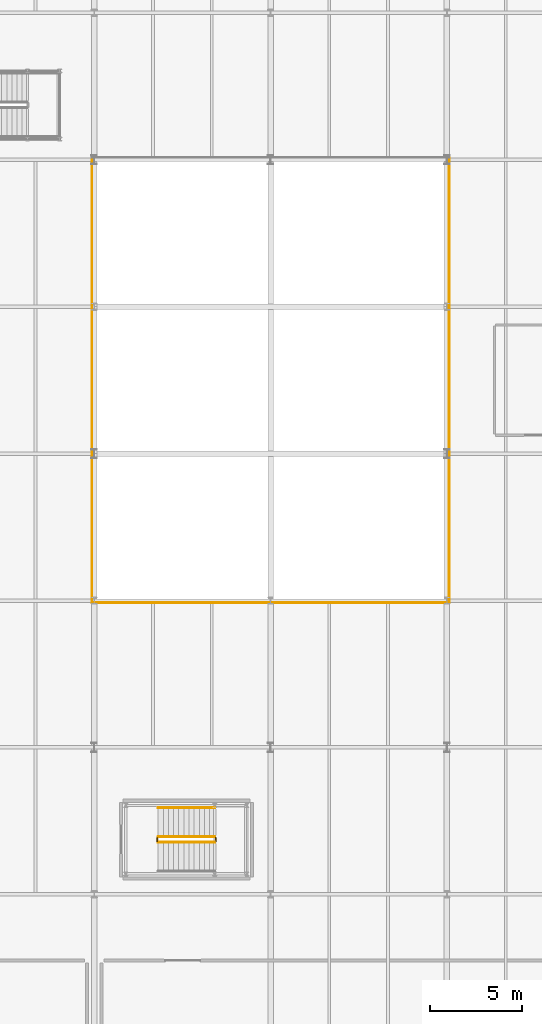
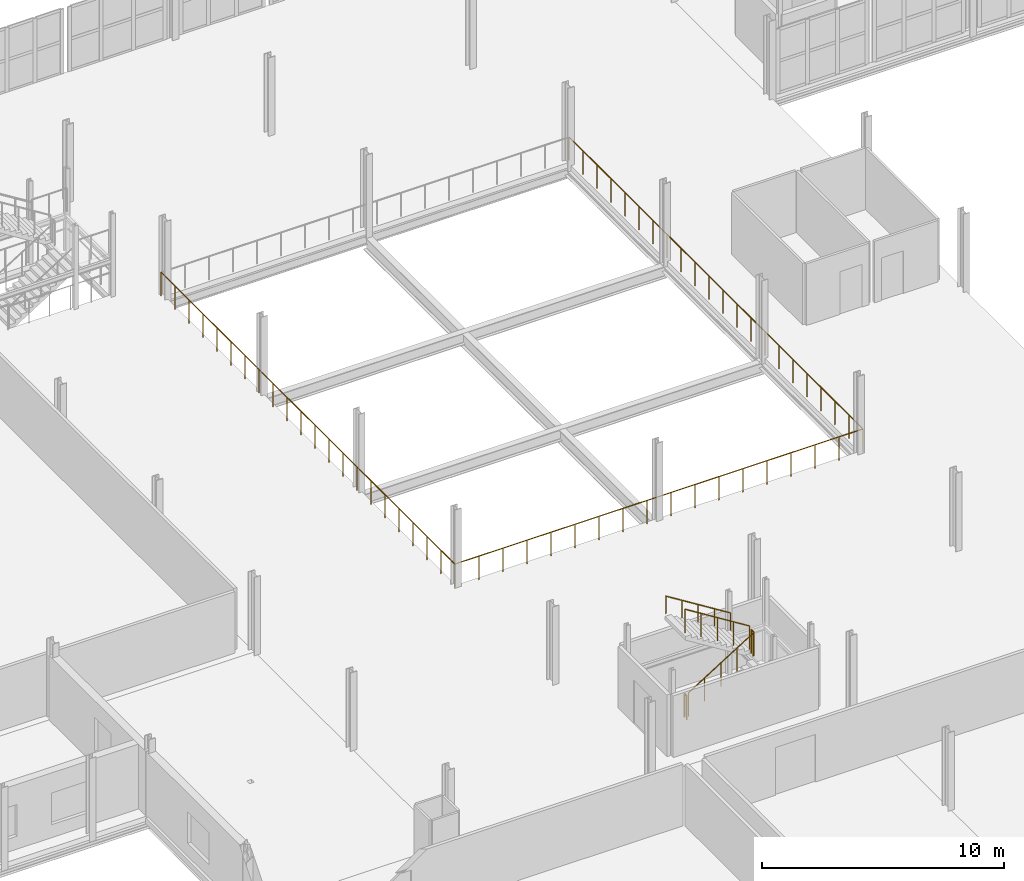
# One storey, part 70 of 78: 8 railings.
"""IFC4 building model written with IfcOpenShell, lengths in metres."""

from ifc_helpers import new_model, si_unit, direction, frame, origin, origin_2d, place, context, subcontext, project, spatial, circle, extrude, material, type_object, element, save


model = new_model("IFC4")

# Units and contexts
model_context = context("Model", 3, precision=1e-05, world=origin(), true_north=direction((0.0, 1.0)))
body_context = subcontext(model_context, "Body", "Model", "MODEL_VIEW")
ifc_project = project(units=[si_unit("LENGTHUNIT", "METRE"), si_unit("AREAUNIT", "SQUARE_METRE"), si_unit("VOLUMEUNIT", "CUBIC_METRE"), si_unit("PLANEANGLEUNIT", "RADIAN"), si_unit("MASSUNIT", "GRAM", prefix="KILO")], contexts=[model_context])

# Site, building, storey
site_placement = place(None, origin())
site = spatial("IfcSite", under=ifc_project, at=site_placement, CompositionType="ELEMENT")
building_placement = place(site_placement, origin())
building = spatial("IfcBuilding", under=site, at=building_placement, Name="Alderhovde Museum", CompositionType="ELEMENT")
storey_placement = place(building_placement, frame((0.0, 0.0, 4.5)))
storey = spatial("IfcBuildingStorey", under=building, at=storey_placement, Name="L01", CompositionType="ELEMENT", Elevation=4.5)

# Railings
ifc_material_1 = material(Name="Painted Steel S355 Guardrail", Category="steel")
railing_type_1 = type_object("IfcRailingType", Name="RL-GUARD-1200", PredefinedType="GUARDRAIL", material=ifc_material_1)
railing_1_placement = place(storey_placement, frame((89.8798828125, 34.830078125, 0.175048828125)))
element("IfcRailing", 1, at=railing_1_placement, inside=storey, type_object=railing_type_1, Name="L01 ST3 stair guard 1", PredefinedType="GUARDRAIL", context=body_context, shape_type="SweptSolid", body=[
    extrude(circle(Radius=0.02392578125, at=origin_2d()), frame((0.0, 0.0, 1.17578125), z_axis=(0.847998304005, 0.0, 0.529998940003), x_axis=(0.0, 1.0, 0.0)), (0.0, 0.0, 1.0), 3.632080078125),
    extrude(circle(Radius=0.02099609375, at=origin_2d()), origin(), (0.0, 0.0, 1.0), 1.15185546875),
    extrude(circle(Radius=0.02099609375, at=origin_2d()), frame((0.77001953125, 0.0, 0.481201171875)), (0.0, 0.0, 1.0), 1.15185546875),
    extrude(circle(Radius=0.02099609375, at=origin_2d()), frame((1.5400390625, 0.0, 0.96240234375)), (0.0, 0.0, 1.0), 1.15185546875),
    extrude(circle(Radius=0.02099609375, at=origin_2d()), frame((2.31005859375, 0.0, 1.44384765625)), (0.0, 0.0, 1.0), 1.15185546875),
    extrude(circle(Radius=0.02099609375, at=origin_2d()), frame((3.080078125, 0.0, 1.925048828125)), (0.0, 0.0, 1.0), 1.15185546875),
])
railing_2_placement = place(storey_placement, frame((93.010009765625, 34.8798828125, 2.10009765625)))
element("IfcRailing", 2, at=railing_2_placement, inside=storey, type_object=railing_type_1, Name="L01 ST3 stair guard 2", PredefinedType="GUARDRAIL", context=body_context, shape_type="SweptSolid", body=[
    extrude(circle(Radius=0.02392578125, at=origin_2d()), frame((0.0, 0.0, 1.17578125), z_axis=(0.0, 1.0, 0.0), x_axis=(-1.0, 0.0, 0.0)), (0.0, 0.0, 1.0), 0.2001953125),
    extrude(circle(Radius=0.02099609375, at=origin_2d()), origin(), (0.0, 0.0, 1.0), 1.15185546875),
    extrude(circle(Radius=0.02099609375, at=origin_2d()), frame((0.0, 0.2001953125, 0.0)), (0.0, 0.0, 1.0), 1.15185546875),
])
railing_3_placement = place(storey_placement, frame((92.9599609375, 35.1298828125, 2.27490234375)))
element("IfcRailing", 3, at=railing_3_placement, inside=storey, type_object=railing_type_1, Name="L01 ST3 stair guard 3", PredefinedType="GUARDRAIL", context=body_context, shape_type="SweptSolid", body=[
    extrude(circle(Radius=0.02392578125, at=origin_2d()), frame((0.0, 0.0, 1.17578125), z_axis=(-0.847998304005, 0.0, 0.529998940003), x_axis=(0.0, -1.0, 0.0)), (0.0, 0.0, 1.0), 3.632080078125),
    extrude(circle(Radius=0.02099609375, at=origin_2d()), origin(), (0.0, 0.0, 1.0), 1.15185546875),
    extrude(circle(Radius=0.02099609375, at=origin_2d()), frame((-0.77001953125, 0.0, 0.481201171875)), (0.0, 0.0, 1.0), 1.15185546875),
    extrude(circle(Radius=0.02099609375, at=origin_2d()), frame((-1.5400390625, 0.0, 0.96240234375)), (0.0, 0.0, 1.0), 1.15185546875),
    extrude(circle(Radius=0.02099609375, at=origin_2d()), frame((-2.31005859375, 0.0, 1.44384765625)), (0.0, 0.0, 1.0), 1.15185546875),
    extrude(circle(Radius=0.02099609375, at=origin_2d()), frame((-3.080078125, 0.0, 1.925048828125)), (0.0, 0.0, 1.0), 1.15185546875),
])
railing_4_placement = place(storey_placement, frame((89.830078125, 34.8798828125, 0.0)))
element("IfcRailing", 4, at=railing_4_placement, inside=storey, type_object=railing_type_1, Name="L01 ST3 stair guard 4", PredefinedType="GUARDRAIL", context=body_context, shape_type="SweptSolid", body=[
    extrude(circle(Radius=0.02392578125, at=origin_2d()), frame((0.0, 0.0, 1.17578125), z_axis=(0.0, 1.0, 0.0), x_axis=(-1.0, 0.0, 0.0)), (0.0, 0.0, 1.0), 0.2001953125),
    extrude(circle(Radius=0.02099609375, at=origin_2d()), origin(), (0.0, 0.0, 1.0), 1.15185546875),
    extrude(circle(Radius=0.02099609375, at=origin_2d()), frame((0.0, 0.2001953125, 0.0)), (0.0, 0.0, 1.0), 1.15185546875),
])
railing_5_placement = place(storey_placement, frame((86.280029296875, 47.8798828125, 0.0)))
element("IfcRailing", 5, at=railing_5_placement, inside=storey, type_object=railing_type_1, Name="L01 Conservatory Void South Guardrail", PredefinedType="GUARDRAIL", context=body_context, shape_type="SweptSolid", body=[
    extrude(circle(Radius=0.02392578125, at=origin_2d()), frame((0.0, 0.0, 1.17578125), z_axis=(1.0, 0.0, 0.0), x_axis=(0.0, 1.0, 0.0)), (0.0, 0.0, 1.0), 19.43994140625),
    extrude(circle(Radius=0.02099609375, at=origin_2d()), origin(), (0.0, 0.0, 1.0), 1.15185546875),
    extrude(circle(Radius=0.02099609375, at=origin_2d()), frame((1.1435546875, 0.0, 0.0)), (0.0, 0.0, 1.0), 1.15185546875),
    extrude(circle(Radius=0.02099609375, at=origin_2d()), frame((2.287109375, 0.0, 0.0)), (0.0, 0.0, 1.0), 1.15185546875),
    extrude(circle(Radius=0.02099609375, at=origin_2d()), frame((3.4306640625, 0.0, 0.0)), (0.0, 0.0, 1.0), 1.15185546875),
    extrude(circle(Radius=0.02099609375, at=origin_2d()), frame((4.57421875, 0.0, 0.0)), (0.0, 0.0, 1.0), 1.15185546875),
    extrude(circle(Radius=0.02099609375, at=origin_2d()), frame((5.717529296875, 0.0, 0.0)), (0.0, 0.0, 1.0), 1.15185546875),
    extrude(circle(Radius=0.02099609375, at=origin_2d()), frame((6.861083984375, 0.0, 0.0)), (0.0, 0.0, 1.0), 1.15185546875),
    extrude(circle(Radius=0.02099609375, at=origin_2d()), frame((8.004638671875, 0.0, 0.0)), (0.0, 0.0, 1.0), 1.15185546875),
    extrude(circle(Radius=0.02099609375, at=origin_2d()), frame((9.148193359375, 0.0, 0.0)), (0.0, 0.0, 1.0), 1.15185546875),
    extrude(circle(Radius=0.02099609375, at=origin_2d()), frame((10.291748046875, 0.0, 0.0)), (0.0, 0.0, 1.0), 1.15185546875),
    extrude(circle(Radius=0.02099609375, at=origin_2d()), frame((11.435302734375, 0.0, 0.0)), (0.0, 0.0, 1.0), 1.15185546875),
    extrude(circle(Radius=0.02099609375, at=origin_2d()), frame((12.578857421875, 0.0, 0.0)), (0.0, 0.0, 1.0), 1.15185546875),
    extrude(circle(Radius=0.02099609375, at=origin_2d()), frame((13.722412109375, 0.0, 0.0)), (0.0, 0.0, 1.0), 1.15185546875),
    extrude(circle(Radius=0.02099609375, at=origin_2d()), frame((14.86572265625, 0.0, 0.0)), (0.0, 0.0, 1.0), 1.15185546875),
    extrude(circle(Radius=0.02099609375, at=origin_2d()), frame((16.00927734375, 0.0, 0.0)), (0.0, 0.0, 1.0), 1.15185546875),
    extrude(circle(Radius=0.02099609375, at=origin_2d()), frame((17.15283203125, 0.0, 0.0)), (0.0, 0.0, 1.0), 1.15185546875),
    extrude(circle(Radius=0.02099609375, at=origin_2d()), frame((18.29638671875, 0.0, 0.0)), (0.0, 0.0, 1.0), 1.15185546875),
    extrude(circle(Radius=0.02099609375, at=origin_2d()), frame((19.43994140625, 0.0, 0.0)), (0.0, 0.0, 1.0), 1.15185546875),
])
railing_6_placement = place(storey_placement, frame((86.280029296875, 47.8798828125, 0.0)))
element("IfcRailing", 6, at=railing_6_placement, inside=storey, type_object=railing_type_1, Name="L01 Conservatory Void West Guardrail", PredefinedType="GUARDRAIL", context=body_context, shape_type="SweptSolid", body=[
    extrude(circle(Radius=0.02392578125, at=origin_2d()), frame((0.0, 0.0, 1.17578125), z_axis=(0.0, 1.0, 0.0), x_axis=(-1.0, 0.0, 0.0)), (0.0, 0.0, 1.0), 24.240234375),
    extrude(circle(Radius=0.02099609375, at=origin_2d()), origin(), (0.0, 0.0, 1.0), 1.15185546875),
    extrude(circle(Radius=0.02099609375, at=origin_2d()), frame((0.0, 1.154296875, 0.0)), (0.0, 0.0, 1.0), 1.15185546875),
    extrude(circle(Radius=0.02099609375, at=origin_2d()), frame((0.0, 2.30859375, 0.0)), (0.0, 0.0, 1.0), 1.15185546875),
    extrude(circle(Radius=0.02099609375, at=origin_2d()), frame((0.0, 3.462890625, 0.0)), (0.0, 0.0, 1.0), 1.15185546875),
    extrude(circle(Radius=0.02099609375, at=origin_2d()), frame((0.0, 4.6171875, 0.0)), (0.0, 0.0, 1.0), 1.15185546875),
    extrude(circle(Radius=0.02099609375, at=origin_2d()), frame((0.0, 5.771484375, 0.0)), (0.0, 0.0, 1.0), 1.15185546875),
    extrude(circle(Radius=0.02099609375, at=origin_2d()), frame((0.0, 6.92578125, 0.0)), (0.0, 0.0, 1.0), 1.15185546875),
    extrude(circle(Radius=0.02099609375, at=origin_2d()), frame((0.0, 8.080078125, 0.0)), (0.0, 0.0, 1.0), 1.15185546875),
    extrude(circle(Radius=0.02099609375, at=origin_2d()), frame((0.0, 9.234375, 0.0)), (0.0, 0.0, 1.0), 1.15185546875),
    extrude(circle(Radius=0.02099609375, at=origin_2d()), frame((0.0, 10.388671875, 0.0)), (0.0, 0.0, 1.0), 1.15185546875),
    extrude(circle(Radius=0.02099609375, at=origin_2d()), frame((0.0, 11.54296875, 0.0)), (0.0, 0.0, 1.0), 1.15185546875),
    extrude(circle(Radius=0.02099609375, at=origin_2d()), frame((0.0, 12.697265625, 0.0)), (0.0, 0.0, 1.0), 1.15185546875),
    extrude(circle(Radius=0.02099609375, at=origin_2d()), frame((0.0, 13.8515625, 0.0)), (0.0, 0.0, 1.0), 1.15185546875),
    extrude(circle(Radius=0.02099609375, at=origin_2d()), frame((0.0, 15.005859375, 0.0)), (0.0, 0.0, 1.0), 1.15185546875),
    extrude(circle(Radius=0.02099609375, at=origin_2d()), frame((0.0, 16.16015625, 0.0)), (0.0, 0.0, 1.0), 1.15185546875),
    extrude(circle(Radius=0.02099609375, at=origin_2d()), frame((0.0, 17.314453125, 0.0)), (0.0, 0.0, 1.0), 1.15185546875),
    extrude(circle(Radius=0.02099609375, at=origin_2d()), frame((0.0, 18.46875, 0.0)), (0.0, 0.0, 1.0), 1.15185546875),
    extrude(circle(Radius=0.02099609375, at=origin_2d()), frame((0.0, 19.623046875, 0.0)), (0.0, 0.0, 1.0), 1.15185546875),
    extrude(circle(Radius=0.02099609375, at=origin_2d()), frame((0.0, 20.77734375, 0.0)), (0.0, 0.0, 1.0), 1.15185546875),
    extrude(circle(Radius=0.02099609375, at=origin_2d()), frame((0.0, 21.931640625, 0.0)), (0.0, 0.0, 1.0), 1.15185546875),
    extrude(circle(Radius=0.02099609375, at=origin_2d()), frame((0.0, 23.0859375, 0.0)), (0.0, 0.0, 1.0), 1.15185546875),
    extrude(circle(Radius=0.02099609375, at=origin_2d()), frame((0.0, 24.240234375, 0.0)), (0.0, 0.0, 1.0), 1.15185546875),
])
railing_7_placement = place(storey_placement, frame((105.719970703125, 47.8798828125, 0.0)))
element("IfcRailing", 7, at=railing_7_placement, inside=storey, type_object=railing_type_1, Name="L01 Conservatory Void East Guardrail", PredefinedType="GUARDRAIL", context=body_context, shape_type="SweptSolid", body=[
    extrude(circle(Radius=0.02392578125, at=origin_2d()), frame((0.0, 0.0, 1.17578125), z_axis=(0.0, 1.0, 0.0), x_axis=(-1.0, 0.0, 0.0)), (0.0, 0.0, 1.0), 24.240234375),
    extrude(circle(Radius=0.02099609375, at=origin_2d()), origin(), (0.0, 0.0, 1.0), 1.15185546875),
    extrude(circle(Radius=0.02099609375, at=origin_2d()), frame((0.0, 1.154296875, 0.0)), (0.0, 0.0, 1.0), 1.15185546875),
    extrude(circle(Radius=0.02099609375, at=origin_2d()), frame((0.0, 2.30859375, 0.0)), (0.0, 0.0, 1.0), 1.15185546875),
    extrude(circle(Radius=0.02099609375, at=origin_2d()), frame((0.0, 3.462890625, 0.0)), (0.0, 0.0, 1.0), 1.15185546875),
    extrude(circle(Radius=0.02099609375, at=origin_2d()), frame((0.0, 4.6171875, 0.0)), (0.0, 0.0, 1.0), 1.15185546875),
    extrude(circle(Radius=0.02099609375, at=origin_2d()), frame((0.0, 5.771484375, 0.0)), (0.0, 0.0, 1.0), 1.15185546875),
    extrude(circle(Radius=0.02099609375, at=origin_2d()), frame((0.0, 6.92578125, 0.0)), (0.0, 0.0, 1.0), 1.15185546875),
    extrude(circle(Radius=0.02099609375, at=origin_2d()), frame((0.0, 8.080078125, 0.0)), (0.0, 0.0, 1.0), 1.15185546875),
    extrude(circle(Radius=0.02099609375, at=origin_2d()), frame((0.0, 9.234375, 0.0)), (0.0, 0.0, 1.0), 1.15185546875),
    extrude(circle(Radius=0.02099609375, at=origin_2d()), frame((0.0, 10.388671875, 0.0)), (0.0, 0.0, 1.0), 1.15185546875),
    extrude(circle(Radius=0.02099609375, at=origin_2d()), frame((0.0, 11.54296875, 0.0)), (0.0, 0.0, 1.0), 1.15185546875),
    extrude(circle(Radius=0.02099609375, at=origin_2d()), frame((0.0, 12.697265625, 0.0)), (0.0, 0.0, 1.0), 1.15185546875),
    extrude(circle(Radius=0.02099609375, at=origin_2d()), frame((0.0, 13.8515625, 0.0)), (0.0, 0.0, 1.0), 1.15185546875),
    extrude(circle(Radius=0.02099609375, at=origin_2d()), frame((0.0, 15.005859375, 0.0)), (0.0, 0.0, 1.0), 1.15185546875),
    extrude(circle(Radius=0.02099609375, at=origin_2d()), frame((0.0, 16.16015625, 0.0)), (0.0, 0.0, 1.0), 1.15185546875),
    extrude(circle(Radius=0.02099609375, at=origin_2d()), frame((0.0, 17.314453125, 0.0)), (0.0, 0.0, 1.0), 1.15185546875),
    extrude(circle(Radius=0.02099609375, at=origin_2d()), frame((0.0, 18.46875, 0.0)), (0.0, 0.0, 1.0), 1.15185546875),
    extrude(circle(Radius=0.02099609375, at=origin_2d()), frame((0.0, 19.623046875, 0.0)), (0.0, 0.0, 1.0), 1.15185546875),
    extrude(circle(Radius=0.02099609375, at=origin_2d()), frame((0.0, 20.77734375, 0.0)), (0.0, 0.0, 1.0), 1.15185546875),
    extrude(circle(Radius=0.02099609375, at=origin_2d()), frame((0.0, 21.931640625, 0.0)), (0.0, 0.0, 1.0), 1.15185546875),
    extrude(circle(Radius=0.02099609375, at=origin_2d()), frame((0.0, 23.0859375, 0.0)), (0.0, 0.0, 1.0), 1.15185546875),
    extrude(circle(Radius=0.02099609375, at=origin_2d()), frame((0.0, 24.240234375, 0.0)), (0.0, 0.0, 1.0), 1.15185546875),
])
ifc_material_2 = material(Name="Brushed Stainless Steel Handrail", Category="steel")
railing_type_2 = type_object("IfcRailingType", Name="RL-HANDRAIL-900", PredefinedType="HANDRAIL", material=ifc_material_2)
railing_8_placement = place(storey_placement, frame((92.9599609375, 36.7099609375, 2.27490234375)))
element("IfcRailing", 8, at=railing_8_placement, inside=storey, type_object=railing_type_2, Name="L01 ST3 stair handrail 2", PredefinedType="HANDRAIL", context=body_context, shape_type="SweptSolid", body=[
    extrude(circle(Radius=0.02392578125, at=origin_2d()), frame((0.0, 0.0, 0.8759765625), z_axis=(-0.847998304005, 0.0, 0.529998940003), x_axis=(0.0, -1.0, 0.0)), (0.0, 0.0, 1.0), 3.632080078125),
    extrude(circle(Radius=0.02099609375, at=origin_2d()), origin(), (0.0, 0.0, 1.0), 0.851806640625),
    extrude(circle(Radius=0.02099609375, at=origin_2d()), frame((-0.77001953125, 0.0, 0.481201171875)), (0.0, 0.0, 1.0), 0.851806640625),
    extrude(circle(Radius=0.02099609375, at=origin_2d()), frame((-1.5400390625, 0.0, 0.96240234375)), (0.0, 0.0, 1.0), 0.851806640625),
    extrude(circle(Radius=0.02099609375, at=origin_2d()), frame((-2.31005859375, 0.0, 1.44384765625)), (0.0, 0.0, 1.0), 0.851806640625),
    extrude(circle(Radius=0.02099609375, at=origin_2d()), frame((-3.080078125, 0.0, 1.925048828125)), (0.0, 0.0, 1.0), 0.851806640625),
])

save(model, "model.ifc")
